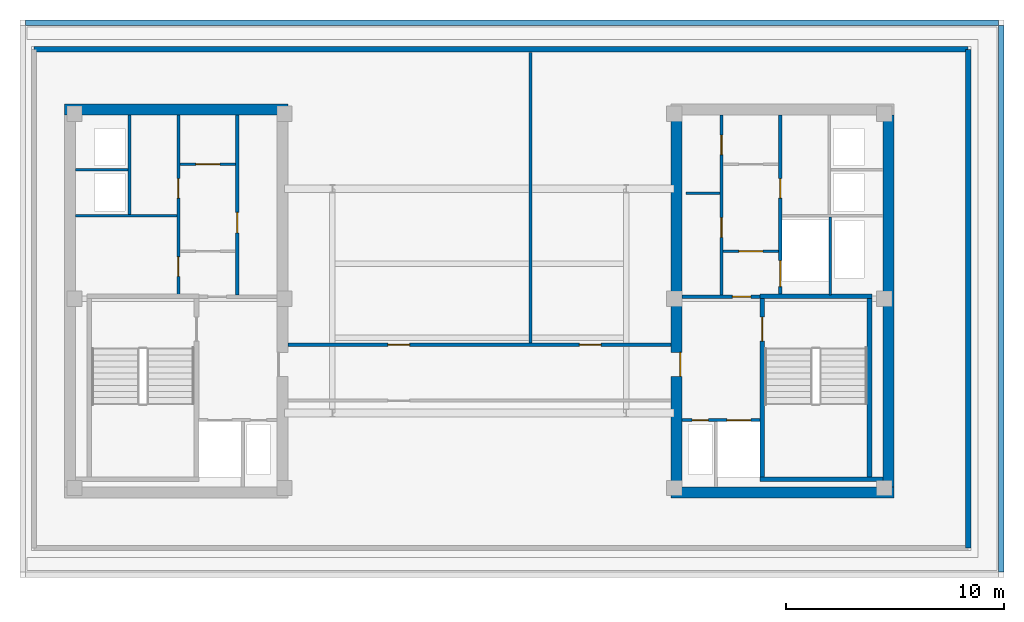
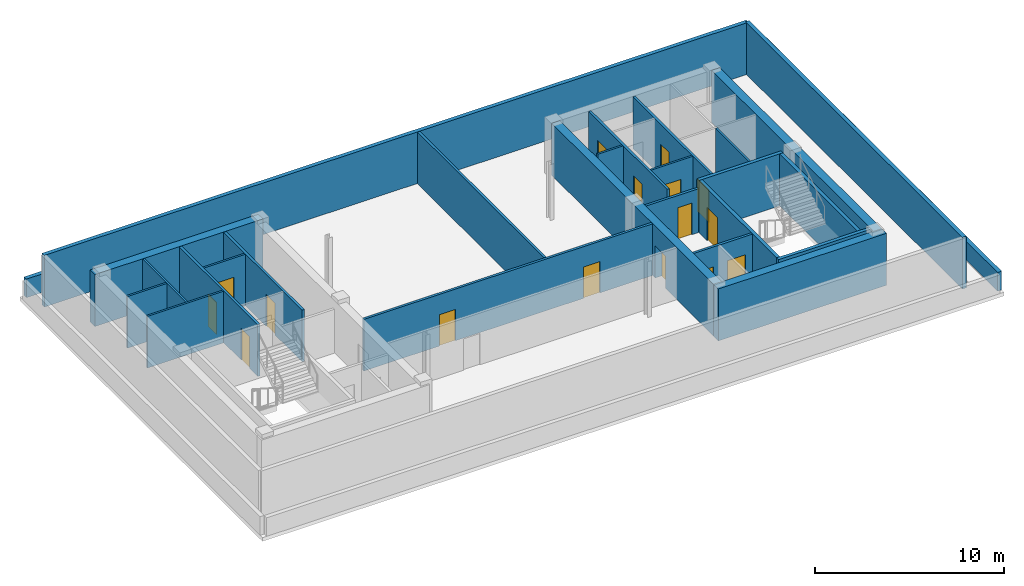
# One storey, part 3 of 7: 27 walls, 16 doors, 16 openings.
"""IFC4 building model written with IfcOpenShell, lengths in metres."""

from ifc_helpers import new_model, si_unit, direction, frame, frame_2d, origin, place, context, subcontext, project, spatial, rectangle, extrude, material, layer, layer_set, type_object, element, fill, save


model = new_model("IFC4")

# Units and contexts
model_context = context("Model", 3, precision=1e-05, world=origin(), true_north=direction((0.0, 1.0)))
body_context = subcontext(model_context, "Body", "Model", "MODEL_VIEW")
ifc_project = project(units=[si_unit("LENGTHUNIT", "METRE"), si_unit("AREAUNIT", "SQUARE_METRE"), si_unit("VOLUMEUNIT", "CUBIC_METRE"), si_unit("PLANEANGLEUNIT", "RADIAN"), si_unit("MASSUNIT", "GRAM", prefix="KILO")], contexts=[model_context])

# Site, building, storey
site_placement = place(None, origin())
site = spatial("IfcSite", under=ifc_project, at=site_placement, CompositionType="ELEMENT")
building_placement = place(site_placement, origin())
building = spatial("IfcBuilding", under=site, at=building_placement, Name="Velakula Bourse", CompositionType="ELEMENT")
storey_placement = place(building_placement, frame((0.0, 0.0, 297.75)))
storey = spatial("IfcBuildingStorey", under=building, at=storey_placement, Name="L81", CompositionType="ELEMENT", Elevation=297.75)

# Wall, opening, door
ifc_material_1 = material(Name="Concrete M50 (fck 50 MPa)", Category="concrete")
ifc_layer_1 = layer(ifc_material_1, 0.2099609375, Name="Concrete M50 (fck 50 MPa)", Category="concrete")
ifc_layer_set_1 = layer_set([ifc_layer_1], Name="Concrete M50 (fck 50 MPa)")
wall_type_1 = type_object("IfcWallType", Name="WL-CORE-210", PredefinedType="SHEAR", material=ifc_layer_set_1)
wall_1_placement = place(storey_placement, frame((12.9951171875, -8.10009765625, 0.0), z_axis=(0.0, 0.0, 1.0), x_axis=(0.0, 1.0, 0.0)))
wall_1 = element("IfcWall", 1, at=wall_1_placement, inside=storey, type_object=wall_type_1, Name="L81 Core E Stairwell Shear Wall IN", PredefinedType="SHEAR", context=body_context, shape_type="SweptSolid", body=[
    extrude(rectangle(XDim=8.2001953125, YDim=0.2099609375, at=frame_2d((4.10009765625, 0.0))), origin(), (0.0, 0.0, 1.0), 3.35009765625),
])
opening_1_placement = place(wall_1_placement, frame((6.25, 0.0, 0.0)))
opening_1 = element("IfcOpeningElement", 2, at=opening_1_placement, cuts=wall_1, Name="Opening D-STE1", PredefinedType="OPENING", context=body_context, shape_type="SweptSolid", body=[
    extrude(rectangle(XDim=1.10009765625, YDim=2.14990234375, at=frame_2d((0.550048828125, 1.074951171875))), frame((0.0, 0.114990234375, 0.0), z_axis=(0.0, -1.0, 0.0), x_axis=(1.0, 0.0, 0.0)), (0.0, 0.0, 1.0), 0.22998046875),
])
ifc_material_2 = material(Name="Galvanised painted hollow steel fire door", Category="steel")
door_type_1 = type_object("IfcDoorType", Name="DR-FD120-1100x2150", OperationType="NOTDEFINED", PredefinedType="DOOR", material=ifc_material_2)
door_1_placement = place(opening_1_placement, origin())
door_1 = element("IfcDoor", 3, at=door_1_placement, inside=storey, type_object=door_type_1, Name="L81 Stair ST-E1 Fire Door", OperationType="SINGLE_SWING_RIGHT", OverallHeight=2.14990234375, OverallWidth=1.10009765625, PredefinedType="DOOR", context=body_context, shape_type="SweptSolid", body=[
    extrude(rectangle(XDim=1.10009765625, YDim=2.14990234375, at=frame_2d((0.550048828125, 1.074951171875))), frame((0.0, 0.02490234375, 0.0), z_axis=(0.0, -1.0, 0.0), x_axis=(1.0, 0.0, 0.0)), (0.0, 0.0, 1.0), 0.050048828125),
])
fill(opening_1, door_1)

# Walls
wall_2_placement = place(storey_placement, frame((17.925048828125, -8.10009765625, 0.0), z_axis=(0.0, 0.0, 1.0), x_axis=(0.0, 1.0, 0.0)))
element("IfcWall", 4, at=wall_2_placement, inside=storey, type_object=wall_type_1, Name="L81 Core E Stairwell Shear Wall OUT", PredefinedType="SHEAR", context=body_context, shape_type="SweptSolid", body=[
    extrude(rectangle(XDim=8.2001953125, YDim=0.2099609375, at=frame_2d((4.10009765625, 0.0))), origin(), (0.0, 0.0, 1.0), 3.35009765625),
])
wall_3_placement = place(storey_placement, frame((12.889892578125, -8.205078125, 0.0), z_axis=(0.0, 0.0, 1.0), x_axis=(1.0, 0.0, 0.0)))
element("IfcWall", 5, at=wall_3_placement, inside=storey, type_object=wall_type_1, Name="L81 Core E Stairwell Shear Wall S", PredefinedType="SHEAR", context=body_context, shape_type="SweptSolid", body=[
    extrude(rectangle(XDim=5.66015625, YDim=0.2099609375, at=frame_2d((2.830078125, 0.0))), origin(), (0.0, 0.0, 1.0), 3.35009765625),
])
wall_4_placement = place(storey_placement, frame((18.030029296875, 0.205078125, 0.0), z_axis=(0.0, 0.0, 1.0), x_axis=(-1.0, 0.0, 0.0)))
element("IfcWall", 6, at=wall_4_placement, inside=storey, type_object=wall_type_1, Name="L81 Core E Stairwell Shear Wall N", PredefinedType="SHEAR", context=body_context, shape_type="SweptSolid", body=[
    extrude(rectangle(XDim=5.14013671875, YDim=0.2099609375, at=frame_2d((2.570068359375, 0.0))), origin(), (0.0, 0.0, 1.0), 3.35009765625),
])
ifc_layer_2 = layer(ifc_material_1, 0.5, Name="Concrete M50 (fck 50 MPa)", Category="concrete")
ifc_layer_set_2 = layer_set([ifc_layer_2], Name="Concrete M50 (fck 50 MPa)")
wall_type_2 = type_object("IfcWallType", Name="WL-CORE-500", PredefinedType="SHEAR", material=ifc_layer_set_2)
for number, where, z_axis, x_axis, name in (
    (7, (-19.050048828125, 8.800048828125, 0.0), (0.0, 0.0, 1.0), (1.0, 0.0, 0.0), "L81 Core W Shear Wall N"),
    (8, (8.800048828125, -8.800048828125, 0.0), (0.0, 0.0, 1.0), (1.0, 0.0, 0.0), "L81 Core E Shear Wall S"),
):
    element("IfcWall", number, at=place(storey_placement, frame(where, z_axis=z_axis, x_axis=x_axis)), inside=storey, type_object=wall_type_2, Name=name, PredefinedType="SHEAR", context=body_context, shape_type="SweptSolid", body=[
        extrude(rectangle(XDim=10.25, YDim=0.5, at=frame_2d((5.125, 0.0))), origin(), (0.0, 0.0, 1.0), 3.35009765625),
    ])

# Wall, opening, door
wall_5_placement = place(storey_placement, frame((9.050048828125, -8.550048828125, 0.0), z_axis=(0.0, 0.0, 1.0), x_axis=(0.0, 1.0, 0.0)))
wall_5 = element("IfcWall", 9, at=wall_5_placement, inside=storey, type_object=wall_type_2, Name="L81 Core E Shear Wall W", PredefinedType="SHEAR", context=body_context, shape_type="SweptSolid", body=[
    extrude(rectangle(XDim=17.10009765625, YDim=0.5, at=frame_2d((8.550048828125, 0.0))), origin(), (0.0, 0.0, 1.0), 3.35009765625),
])
opening_2_placement = place(wall_5_placement, frame((5.080078125, 0.0, 0.0)))
opening_2 = element("IfcOpeningElement", 10, at=opening_2_placement, cuts=wall_5, Name="Opening D-FLE", PredefinedType="OPENING", context=body_context, shape_type="SweptSolid", body=[
    extrude(rectangle(XDim=1.10009765625, YDim=2.080078125, at=frame_2d((0.550048828125, 1.0400390625))), frame((0.0, 0.260009765625, 0.0), z_axis=(0.0, -1.0, 0.0), x_axis=(1.0, 0.0, 0.0)), (0.0, 0.0, 1.0), 0.52001953125),
])
door_type_2 = type_object("IfcDoorType", Name="DR-FD120-1100", OperationType="NOTDEFINED", PredefinedType="DOOR", material=ifc_material_2)
door_2_placement = place(opening_2_placement, origin())
door_2 = element("IfcDoor", 11, at=door_2_placement, inside=storey, type_object=door_type_2, Name="L81 Firefighting Lobby E Corridor Fire Door", OperationType="SINGLE_SWING_RIGHT", OverallHeight=2.080078125, OverallWidth=1.10009765625, PredefinedType="DOOR", context=body_context, shape_type="SweptSolid", body=[
    extrude(rectangle(XDim=1.10009765625, YDim=2.080078125, at=frame_2d((0.550048828125, 1.0400390625))), frame((0.0, -0.15478515625, 0.0), z_axis=(0.0, -1.0, 0.0), x_axis=(1.0, 0.0, 0.0)), (0.0, 0.0, 1.0), 0.050048828125),
])
fill(opening_2, door_2)

# Walls
wall_6_placement = place(storey_placement, frame((18.800048828125, -8.550048828125, 0.0), z_axis=(0.0, 0.0, 1.0), x_axis=(0.0, 1.0, 0.0)))
element("IfcWall", 12, at=wall_6_placement, inside=storey, type_object=wall_type_2, Name="L81 Core E Shear Wall E", PredefinedType="SHEAR", context=body_context, shape_type="SweptSolid", body=[
    extrude(rectangle(XDim=17.10009765625, YDim=0.5, at=frame_2d((8.550048828125, 0.0))), origin(), (0.0, 0.0, 1.0), 3.35009765625),
])
ifc_material_3 = material(Name="Buff kilned clay facing brick masonry", Category="masonry")
ifc_layer_3 = layer(ifc_material_3, 0.239990234375, Name="Buff kilned clay facing brick masonry", Category="masonry")
ifc_layer_set_3 = layer_set([ifc_layer_3], Name="Buff kilned clay facing brick masonry")
wall_type_3 = type_object("IfcWallType", Name="WL-EXT-CRN-240", PredefinedType="STANDARD", material=ifc_layer_set_3)
wall_7_placement = place(storey_placement, frame((22.4599609375, -11.360107421875, 0.0), z_axis=(0.0, 0.0, 1.0), x_axis=(0.0, 1.0, 0.0)))
element("IfcWall", 13, at=wall_7_placement, inside=storey, type_object=wall_type_3, Name="L81 Crown Brick Acoustic Wall E", PredefinedType="STANDARD", context=body_context, shape_type="SweptSolid", body=[
    extrude(rectangle(XDim=22.920166015625, YDim=0.239990234375, at=frame_2d((11.4599609375, 0.0))), origin(), (0.0, 0.0, 1.0), 3.330078125),
])
wall_8_placement = place(storey_placement, frame((22.4599609375, 11.56005859375, 0.0), z_axis=(0.0, 0.0, 1.0), x_axis=(-1.0, 0.0, 0.0)))
element("IfcWall", 14, at=wall_8_placement, inside=storey, type_object=wall_type_3, Name="L81 Crown Brick Acoustic Wall N", PredefinedType="STANDARD", context=body_context, shape_type="SweptSolid", body=[
    extrude(rectangle(XDim=42.919921875, YDim=0.239990234375, at=frame_2d((21.4599609375, 0.0))), origin(), (0.0, 0.0, 1.0), 3.330078125),
])
ifc_layer_4 = layer(ifc_material_3, 0.25, Name="Buff kilned clay facing brick masonry", Category="masonry")
ifc_layer_set_4 = layer_set([ifc_layer_4], Name="Buff kilned clay facing brick masonry")
wall_type_4 = type_object("IfcWallType", Name="WL-PAR-ROOF-250", PredefinedType="PARAPET", material=ifc_layer_set_4)
wall_9_placement = place(storey_placement, frame((-20.85009765625, 12.780029296875, 0.0), z_axis=(0.0, 0.0, 1.0), x_axis=(1.0, 0.0, 0.0)))
element("IfcWall", 15, at=wall_9_placement, inside=storey, type_object=wall_type_4, Name="L81 Closed Roof Perimeter Parapet 1", PredefinedType="PARAPET", context=body_context, shape_type="SweptSolid", body=[
    extrude(rectangle(XDim=44.7001953125, YDim=0.25, at=frame_2d((22.35009765625, 0.0))), origin(), (0.0, 0.0, 1.0), 1.199951171875),
])
wall_10_placement = place(storey_placement, frame((23.97998046875, 12.64990234375, 0.0), z_axis=(0.0, 0.0, 1.0), x_axis=(0.0, -1.0, 0.0)))
element("IfcWall", 16, at=wall_10_placement, inside=storey, type_object=wall_type_4, Name="L81 Closed Roof Perimeter Parapet 2", PredefinedType="PARAPET", context=body_context, shape_type="SweptSolid", body=[
    extrude(rectangle(XDim=25.099853515625, YDim=0.25, at=frame_2d((12.5498046875, 0.0))), origin(), (0.0, 0.0, 1.0), 1.199951171875),
])

# Wall, opening, door
ifc_material_4 = material(Name="Fire-rated double-layer gypsum drywall partition", Category="gypsum")
ifc_layer_5 = layer(ifc_material_4, 0.1201171875, Name="Fire-rated double-layer gypsum drywall partition", Category="gypsum")
ifc_layer_set_5 = layer_set([ifc_layer_5], Name="Fire-rated double-layer gypsum drywall partition")
wall_type_5 = type_object("IfcWallType", Name="WL-PART-120", PredefinedType="STANDARD", material=ifc_layer_set_5)
wall_11_placement = place(storey_placement, frame((-13.75, 6.280029296875, 0.0), z_axis=(0.0, 0.0, 1.0), x_axis=(1.0, 0.0, 0.0)))
wall_11 = element("IfcWall", 17, at=wall_11_placement, inside=storey, type_object=wall_type_5, Name="L81 Interior Partition WL-CRW-L81-LL-K3B", PredefinedType="STANDARD", context=body_context, shape_type="SweptSolid", body=[
    extrude(rectangle(XDim=2.550048828125, YDim=0.1201171875, at=frame_2d((1.27490234375, 0.0))), origin(), (0.0, 0.0, 1.0), 3.330078125),
])
opening_3_placement = place(wall_11_placement, frame((0.72509765625, 0.0, 0.0)))
opening_3 = element("IfcOpeningElement", 18, at=opening_3_placement, cuts=wall_11, Name="Opening D-LK3", PredefinedType="OPENING", context=body_context, shape_type="SweptSolid", body=[
    extrude(rectangle(XDim=1.10009765625, YDim=2.10009765625, at=frame_2d((0.550048828125, 1.050048828125))), frame((0.0, 0.070068359375, 0.0), z_axis=(0.0, -1.0, 0.0), x_axis=(1.0, 0.0, 0.0)), (0.0, 0.0, 1.0), 0.14013671875),
])
ifc_material_5 = material(Name="Fire-rated hardwood flush architectural door", Category="wood")
door_type_3 = type_object("IfcDoorType", Name="DR-FD60-1100x2100", OperationType="NOTDEFINED", PredefinedType="DOOR", material=ifc_material_5)
door_3_placement = place(opening_3_placement, origin())
door_3 = element("IfcDoor", 19, at=door_3_placement, inside=storey, type_object=door_type_3, Name="L81 Core W Lift Lobby Vestibule Door B", OperationType="SINGLE_SWING_RIGHT", OverallHeight=2.10009765625, OverallWidth=1.10009765625, PredefinedType="DOOR", context=body_context, shape_type="SweptSolid", body=[
    extrude(rectangle(XDim=1.10009765625, YDim=2.10009765625, at=frame_2d((0.550048828125, 1.050048828125))), frame((0.0, 0.02490234375, 0.0), z_axis=(0.0, -1.0, 0.0), x_axis=(1.0, 0.0, 0.0)), (0.0, 0.0, 1.0), 0.050048828125),
])
fill(opening_3, door_3)

# Walls
wall_12_placement = place(storey_placement, frame((-18.550048828125, 3.919921875, 0.0), z_axis=(0.0, 0.0, 1.0), x_axis=(1.0, 0.0, 0.0)))
element("IfcWall", 20, at=wall_12_placement, inside=storey, type_object=wall_type_5, Name="L81 Interior Partition WL-CRW-L81-HI-S", PredefinedType="STANDARD", context=body_context, shape_type="SweptSolid", body=[
    extrude(rectangle(XDim=4.650146484375, YDim=0.1201171875, at=frame_2d((2.3251953125, 0.0))), origin(), (0.0, 0.0, 1.0), 3.330078125),
])
wall_13_placement = place(storey_placement, frame((-18.550048828125, 6.030029296875, 0.0), z_axis=(0.0, 0.0, 1.0), x_axis=(1.0, 0.0, 0.0)))
element("IfcWall", 21, at=wall_13_placement, inside=storey, type_object=wall_type_5, Name="L81 Interior Partition WL-CRW-L81-RIS-MID", PredefinedType="STANDARD", context=body_context, shape_type="SweptSolid", body=[
    extrude(rectangle(XDim=2.400146484375, YDim=0.1201171875, at=frame_2d((1.2001953125, 0.0))), origin(), (0.0, 0.0, 1.0), 3.330078125),
])
wall_14_placement = place(storey_placement, frame((-16.074951171875, 3.97998046875, 0.0), z_axis=(0.0, 0.0, 1.0), x_axis=(0.0, 1.0, 0.0)))
element("IfcWall", 22, at=wall_14_placement, inside=storey, type_object=wall_type_5, Name="L81 Interior Partition WL-CRW-L81-RIS-F", PredefinedType="STANDARD", context=body_context, shape_type="SweptSolid", body=[
    extrude(rectangle(XDim=4.570068359375, YDim=0.1201171875, at=frame_2d((2.28515625, 0.0))), origin(), (0.0, 0.0, 1.0), 3.330078125),
])

# Wall, opening, door
wall_15_placement = place(storey_placement, frame((11.199951171875, 2.280029296875, 0.0), z_axis=(0.0, 0.0, 1.0), x_axis=(1.0, 0.0, 0.0)))
wall_15 = element("IfcWall", 23, at=wall_15_placement, inside=storey, type_object=wall_type_5, Name="L81 Interior Partition WL-CRE-L81-LL-K3A", PredefinedType="STANDARD", context=body_context, shape_type="SweptSolid", body=[
    extrude(rectangle(XDim=2.550048828125, YDim=0.1201171875, at=frame_2d((1.27490234375, 0.0))), origin(), (0.0, 0.0, 1.0), 3.330078125),
])
opening_4_placement = place(wall_15_placement, frame((0.72509765625, 0.0, 0.0)))
opening_4 = element("IfcOpeningElement", 24, at=opening_4_placement, cuts=wall_15, Name="Opening D-LK3", PredefinedType="OPENING", context=body_context, shape_type="SweptSolid", body=[
    extrude(rectangle(XDim=1.10009765625, YDim=2.10009765625, at=frame_2d((0.550048828125, 1.050048828125))), frame((0.0, 0.070068359375, 0.0), z_axis=(0.0, -1.0, 0.0), x_axis=(1.0, 0.0, 0.0)), (0.0, 0.0, 1.0), 0.14013671875),
])
door_4_placement = place(opening_4_placement, origin())
door_4 = element("IfcDoor", 25, at=door_4_placement, inside=storey, type_object=door_type_3, Name="L81 Core E Lift Lobby Vestibule Door A", OperationType="SINGLE_SWING_RIGHT", OverallHeight=2.10009765625, OverallWidth=1.10009765625, PredefinedType="DOOR", context=body_context, shape_type="SweptSolid", body=[
    extrude(rectangle(XDim=1.10009765625, YDim=2.10009765625, at=frame_2d((0.550048828125, 1.050048828125))), frame((0.0, 0.02490234375, 0.0), z_axis=(0.0, -1.0, 0.0), x_axis=(1.0, 0.0, 0.0)), (0.0, 0.0, 1.0), 0.050048828125),
])
fill(opening_4, door_4)

# Walls
wall_16_placement = place(storey_placement, frame((9.5, 4.949951171875, 0.0), z_axis=(0.0, 0.0, 1.0), x_axis=(1.0, 0.0, 0.0)))
element("IfcWall", 26, at=wall_16_placement, inside=storey, type_object=wall_type_5, Name="L81 Interior Partition WL-CRE-L81-RCDIV", PredefinedType="STANDARD", context=body_context, shape_type="SweptSolid", body=[
    extrude(rectangle(XDim=1.550048828125, YDim=0.1201171875, at=frame_2d((0.77490234375, 0.0))), origin(), (0.0, 0.0, 1.0), 3.330078125),
])
wall_17_placement = place(storey_placement, frame((16.125, 0.27001953125, 0.0), z_axis=(0.0, 0.0, 1.0), x_axis=(0.0, 1.0, 0.0)))
element("IfcWall", 27, at=wall_17_placement, inside=storey, type_object=wall_type_5, Name="L81 Interior Partition WL-CRE-L81-SVL-E", PredefinedType="STANDARD", context=body_context, shape_type="SweptSolid", body=[
    extrude(rectangle(XDim=3.590087890625, YDim=0.1201171875, at=frame_2d((1.794921875, 0.0))), origin(), (0.0, 0.0, 1.0), 3.330078125),
])

# Wall, opening, door
ifc_material_6 = material(Name="Autoclaved aerated concrete blockwork masonry", Category="masonry")
ifc_layer_6 = layer(ifc_material_6, 0.14990234375, Name="Autoclaved aerated concrete blockwork masonry", Category="masonry")
ifc_layer_set_6 = layer_set([ifc_layer_6], Name="Autoclaved aerated concrete blockwork masonry")
wall_type_6 = type_object("IfcWallType", Name="WL-SHAFT-150", PredefinedType="STANDARD", material=ifc_layer_set_6)
wall_18_placement = place(storey_placement, frame((-11.125, 0.27001953125, 0.0), z_axis=(0.0, 0.0, 1.0), x_axis=(0.0, 1.0, 0.0)))
wall_18 = element("IfcWall", 28, at=wall_18_placement, inside=storey, type_object=wall_type_6, Name="L81 Interior Partition WL-CRW-L81-BANK-F", PredefinedType="STANDARD", context=body_context, shape_type="SweptSolid", body=[
    extrude(rectangle(XDim=8.280029296875, YDim=0.14990234375, at=frame_2d((4.14013671875, 0.0))), origin(), (0.0, 0.0, 1.0), 3.330078125),
])
opening_5_placement = place(wall_18_placement, frame((2.85009765625, 0.0, 0.0)))
opening_5 = element("IfcOpeningElement", 29, at=opening_5_placement, cuts=wall_18, Name="Opening D-RC4", PredefinedType="OPENING", context=body_context, shape_type="SweptSolid", body=[
    extrude(rectangle(XDim=0.949951171875, YDim=2.050048828125, at=frame_2d((0.47509765625, 1.02490234375))), frame((0.0, 0.0849609375, 0.0), z_axis=(0.0, -1.0, 0.0), x_axis=(1.0, 0.0, 0.0)), (0.0, 0.0, 1.0), 0.169921875),
])
door_type_4 = type_object("IfcDoorType", Name="DR-FD60-950x2050", OperationType="NOTDEFINED", PredefinedType="DOOR", material=ifc_material_5)
door_5_placement = place(opening_5_placement, origin())
door_5 = element("IfcDoor", 30, at=door_5_placement, inside=storey, type_object=door_type_4, Name="L81 Reclaimed Multi-Bay Archive Room Door", OperationType="SINGLE_SWING_RIGHT", OverallHeight=2.050048828125, OverallWidth=0.949951171875, PredefinedType="DOOR", context=body_context, shape_type="SweptSolid", body=[
    extrude(rectangle(XDim=0.949951171875, YDim=2.050048828125, at=frame_2d((0.47509765625, 1.02490234375))), frame((0.0, 0.02490234375, 0.0), z_axis=(0.0, -1.0, 0.0), x_axis=(1.0, 0.0, 0.0)), (0.0, 0.0, 1.0), 0.050048828125),
])
fill(opening_5, door_5)

# Wall, openings, doors
wall_19_placement = place(storey_placement, frame((-13.824951171875, 0.27001953125, 0.0), z_axis=(0.0, 0.0, 1.0), x_axis=(0.0, 1.0, 0.0)))
wall_19 = element("IfcWall", 31, at=wall_19_placement, inside=storey, type_object=wall_type_6, Name="L81 Interior Partition WL-CRW-L81-OUT-F", PredefinedType="STANDARD", context=body_context, shape_type="SweptSolid", body=[
    extrude(rectangle(XDim=8.280029296875, YDim=0.14990234375, at=frame_2d((4.14013671875, 0.0))), origin(), (0.0, 0.0, 1.0), 3.330078125),
])
opening_6_placement = place(wall_19_placement, frame((4.449951171875, 0.0, 0.0)))
opening_6 = element("IfcOpeningElement", 32, at=opening_6_placement, cuts=wall_19, Name="Opening D-RC3", PredefinedType="OPENING", context=body_context, shape_type="SweptSolid", body=[
    extrude(rectangle(XDim=0.89990234375, YDim=2.050048828125, at=frame_2d((0.449951171875, 1.02490234375))), frame((0.0, 0.0849609375, 0.0), z_axis=(0.0, -1.0, 0.0), x_axis=(1.0, 0.0, 0.0)), (0.0, 0.0, 1.0), 0.169921875),
])
opening_7_placement = place(wall_19_placement, frame((0.85009765625, 0.0, 0.0)))
opening_7 = element("IfcOpeningElement", 33, at=opening_7_placement, cuts=wall_19, Name="Opening D-CR3", PredefinedType="OPENING", context=body_context, shape_type="SweptSolid", body=[
    extrude(rectangle(XDim=0.89990234375, YDim=2.050048828125, at=frame_2d((0.449951171875, 1.02490234375))), frame((0.0, 0.0849609375, 0.0), z_axis=(0.0, -1.0, 0.0), x_axis=(1.0, 0.0, 0.0)), (0.0, 0.0, 1.0), 0.169921875),
])
door_type_5 = type_object("IfcDoorType", Name="DR-FD60-900", OperationType="NOTDEFINED", PredefinedType="DOOR", material=ifc_material_5)
door_6_placement = place(opening_6_placement, origin())
door_6 = element("IfcDoor", 34, at=door_6_placement, inside=storey, type_object=door_type_5, Name="L81 Crown Lift Machine Plant Room Door", OperationType="SINGLE_SWING_LEFT", OverallHeight=2.050048828125, OverallWidth=0.89990234375, PredefinedType="DOOR", context=body_context, shape_type="SweptSolid", body=[
    extrude(rectangle(XDim=0.89990234375, YDim=2.050048828125, at=frame_2d((0.449951171875, 1.02490234375))), frame((0.0, 0.02490234375, 0.0), z_axis=(0.0, -1.0, 0.0), x_axis=(1.0, 0.0, 0.0)), (0.0, 0.0, 1.0), 0.050048828125),
])
fill(opening_6, door_6)
door_type_6 = type_object("IfcDoorType", Name="DR-INT-900", OperationType="NOTDEFINED", PredefinedType="DOOR", material=ifc_material_5)
door_7_placement = place(opening_7_placement, origin())
door_7 = element("IfcDoor", 35, at=door_7_placement, inside=storey, type_object=door_type_6, Name="L81 Core Stationery and Mail Room Door", OperationType="SINGLE_SWING_RIGHT", OverallHeight=2.050048828125, OverallWidth=0.89990234375, PredefinedType="DOOR", context=body_context, shape_type="SweptSolid", body=[
    extrude(rectangle(XDim=0.89990234375, YDim=2.050048828125, at=frame_2d((0.449951171875, 1.02490234375))), frame((0.0, 0.02490234375, 0.0), z_axis=(0.0, -1.0, 0.0), x_axis=(1.0, 0.0, 0.0)), (0.0, 0.0, 1.0), 0.050048828125),
])
fill(opening_7, door_7)

wall_20_placement = place(storey_placement, frame((9.300048828125, -5.47509765625, 0.0), z_axis=(0.0, 0.0, 1.0), x_axis=(1.0, 0.0, 0.0)))
wall_20 = element("IfcWall", 36, at=wall_20_placement, inside=storey, type_object=wall_type_6, Name="L81 Interior Partition WL-CRE-L81-FFL-N", PredefinedType="STANDARD", context=body_context, shape_type="SweptSolid", body=[
    extrude(rectangle(XDim=3.594970703125, YDim=0.14990234375, at=frame_2d((1.79736328125, 0.0))), origin(), (0.0, 0.0, 1.0), 3.330078125),
])
opening_8_placement = place(wall_20_placement, frame((2.074951171875, 0.0, 0.0)))
opening_8 = element("IfcOpeningElement", 37, at=opening_8_placement, cuts=wall_20, Name="Opening LD-FFL-2", PredefinedType="OPENING", context=body_context, shape_type="SweptSolid", body=[
    extrude(rectangle(XDim=1.10009765625, YDim=2.14990234375, at=frame_2d((0.550048828125, 1.074951171875))), frame((0.0, 0.0849609375, 0.0), z_axis=(0.0, -1.0, 0.0), x_axis=(1.0, 0.0, 0.0)), (0.0, 0.0, 1.0), 0.169921875),
])
opening_9_placement = place(wall_20_placement, frame((0.47509765625, 0.0, 0.0)))
opening_9 = element("IfcOpeningElement", 38, at=opening_9_placement, cuts=wall_20, Name="Opening D-RS1", PredefinedType="OPENING", context=body_context, shape_type="SweptSolid", body=[
    extrude(rectangle(XDim=0.75, YDim=2.050048828125, at=frame_2d((0.375, 1.02490234375))), frame((0.0, 0.0849609375, 0.0), z_axis=(0.0, -1.0, 0.0), x_axis=(1.0, 0.0, 0.0)), (0.0, 0.0, 1.0), 0.169921875),
])
door_type_7 = type_object("IfcDoorType", Name="DR-RISER-800", OperationType="NOTDEFINED", PredefinedType="DOOR", material=ifc_material_2)
door_8_placement = place(opening_9_placement, origin())
door_8 = element("IfcDoor", 39, at=door_8_placement, inside=storey, type_object=door_type_7, Name="L81 Fire Riser Access Door", OperationType="SINGLE_SWING_LEFT", OverallHeight=2.050048828125, OverallWidth=0.75, PredefinedType="DOOR", context=body_context, shape_type="SweptSolid", body=[
    extrude(rectangle(XDim=0.75, YDim=2.050048828125, at=frame_2d((0.375, 1.02490234375))), frame((0.0, 0.02490234375, 0.0), z_axis=(0.0, -1.0, 0.0), x_axis=(1.0, 0.0, 0.0)), (0.0, 0.0, 1.0), 0.050048828125),
])
fill(opening_9, door_8)
ifc_material_7 = material(Name="Brushed grade 316 stainless steel", Category="steel")
door_type_8 = type_object("IfcDoorType", Name="DR-SLIDE-FFL-1100", OperationType="DOUBLE_DOOR_SLIDING", PredefinedType="DOOR", material=ifc_material_7)
door_9_placement = place(opening_8_placement, origin())
door_9 = element("IfcDoor", 40, at=door_9_placement, inside=storey, type_object=door_type_8, Name="L81 Firefighting Lift FFL-2 Sliding Landing Door", OperationType="DOUBLE_DOOR_SLIDING", OverallHeight=2.14990234375, OverallWidth=1.10009765625, PredefinedType="DOOR", context=body_context, shape_type="SweptSolid", body=[
    extrude(rectangle(XDim=1.10009765625, YDim=2.14990234375, at=frame_2d((0.550048828125, 1.074951171875))), frame((0.0, 0.02490234375, 0.0), z_axis=(0.0, -1.0, 0.0), x_axis=(1.0, 0.0, 0.0)), (0.0, 0.0, 1.0), 0.050048828125),
])
fill(opening_8, door_9)

# Wall, opening, door
wall_21_placement = place(storey_placement, frame((9.300048828125, 0.18994140625, 0.0), z_axis=(0.0, 0.0, 1.0), x_axis=(1.0, 0.0, 0.0)))
wall_21 = element("IfcWall", 41, at=wall_21_placement, inside=storey, type_object=wall_type_6, Name="L81 Interior Partition WL-CRE-L81-FF-TOP", PredefinedType="STANDARD", context=body_context, shape_type="SweptSolid", body=[
    extrude(rectangle(XDim=3.58984375, YDim=0.14990234375, at=frame_2d((1.794921875, 0.0))), origin(), (0.0, 0.0, 1.0), 2.824951171875),
])
opening_10_placement = place(wall_21_placement, frame((2.324951171875, 0.0, 0.0)))
opening_10 = element("IfcOpeningElement", 42, at=opening_10_placement, cuts=wall_21, Name="Opening D-FC1", PredefinedType="OPENING", context=body_context, shape_type="SweptSolid", body=[
    extrude(rectangle(XDim=0.85009765625, YDim=2.0400390625, at=frame_2d((0.425048828125, 1.02001953125))), frame((0.0, 0.0849609375, 0.0), z_axis=(0.0, -1.0, 0.0), x_axis=(1.0, 0.0, 0.0)), (0.0, 0.0, 1.0), 0.169921875),
])
door_type_9 = type_object("IfcDoorType", Name="DR-FD120-850", OperationType="NOTDEFINED", PredefinedType="DOOR", material=ifc_material_2)
door_10_placement = place(opening_10_placement, origin())
door_10 = element("IfcDoor", 43, at=door_10_placement, inside=storey, type_object=door_type_9, Name="L81 Firefighting Lobby Link Fire Door", OperationType="SINGLE_SWING_LEFT", OverallHeight=2.0400390625, OverallWidth=0.85009765625, PredefinedType="DOOR", context=body_context, shape_type="SweptSolid", body=[
    extrude(rectangle(XDim=0.85009765625, YDim=2.0400390625, at=frame_2d((0.425048828125, 1.02001953125))), frame((0.0, 0.02490234375, 0.0), z_axis=(0.0, -1.0, 0.0), x_axis=(1.0, 0.0, 0.0)), (0.0, 0.0, 1.0), 0.050048828125),
])
fill(opening_10, door_10)

# Wall, openings, doors
wall_22_placement = place(storey_placement, frame((11.125, 0.27001953125, 0.0), z_axis=(0.0, 0.0, 1.0), x_axis=(0.0, 1.0, 0.0)))
wall_22 = element("IfcWall", 44, at=wall_22_placement, inside=storey, type_object=wall_type_6, Name="L81 Interior Partition WL-CRE-L81-BANK-F", PredefinedType="STANDARD", context=body_context, shape_type="SweptSolid", body=[
    extrude(rectangle(XDim=8.280029296875, YDim=0.14990234375, at=frame_2d((4.14013671875, 0.0))), origin(), (0.0, 0.0, 1.0), 3.330078125),
])
opening_11_placement = place(wall_22_placement, frame((2.64990234375, 0.0, 0.0)))
opening_11 = element("IfcOpeningElement", 45, at=opening_11_placement, cuts=wall_22, Name="Opening D-RC2", PredefinedType="OPENING", context=body_context, shape_type="SweptSolid", body=[
    extrude(rectangle(XDim=0.89990234375, YDim=2.050048828125, at=frame_2d((0.449951171875, 1.02490234375))), frame((0.0, 0.0849609375, 0.0), z_axis=(0.0, -1.0, 0.0), x_axis=(1.0, 0.0, 0.0)), (0.0, 0.0, 1.0), 0.169921875),
])
opening_12_placement = place(wall_22_placement, frame((6.449951171875, 0.0, 0.0)))
opening_12 = element("IfcOpeningElement", 46, at=opening_12_placement, cuts=wall_22, Name="Opening D-RC2", PredefinedType="OPENING", context=body_context, shape_type="SweptSolid", body=[
    extrude(rectangle(XDim=0.89990234375, YDim=2.050048828125, at=frame_2d((0.449951171875, 1.02490234375))), frame((0.0, 0.0849609375, 0.0), z_axis=(0.0, -1.0, 0.0), x_axis=(1.0, 0.0, 0.0)), (0.0, 0.0, 1.0), 0.169921875),
])
door_11_placement = place(opening_11_placement, origin())
door_11 = element("IfcDoor", 47, at=door_11_placement, inside=storey, type_object=door_type_5, Name="L81 Reclaimed Vault Room Door", OperationType="SINGLE_SWING_LEFT", OverallHeight=2.050048828125, OverallWidth=0.89990234375, PredefinedType="DOOR", context=body_context, shape_type="SweptSolid", body=[
    extrude(rectangle(XDim=0.89990234375, YDim=2.050048828125, at=frame_2d((0.449951171875, 1.02490234375))), frame((0.0, 0.02490234375, 0.0), z_axis=(0.0, -1.0, 0.0), x_axis=(1.0, 0.0, 0.0)), (0.0, 0.0, 1.0), 0.050048828125),
])
fill(opening_11, door_11)
door_12_placement = place(opening_12_placement, origin())
door_12 = element("IfcDoor", 48, at=door_12_placement, inside=storey, type_object=door_type_5, Name="L81 Reclaimed Depository Store Door", OperationType="SINGLE_SWING_RIGHT", OverallHeight=2.050048828125, OverallWidth=0.89990234375, PredefinedType="DOOR", context=body_context, shape_type="SweptSolid", body=[
    extrude(rectangle(XDim=0.89990234375, YDim=2.050048828125, at=frame_2d((0.449951171875, 1.02490234375))), frame((0.0, 0.02490234375, 0.0), z_axis=(0.0, -1.0, 0.0), x_axis=(1.0, 0.0, 0.0)), (0.0, 0.0, 1.0), 0.050048828125),
])
fill(opening_12, door_12)

wall_23_placement = place(storey_placement, frame((13.824951171875, 0.27001953125, 0.0), z_axis=(0.0, 0.0, 1.0), x_axis=(0.0, 1.0, 0.0)))
wall_23 = element("IfcWall", 49, at=wall_23_placement, inside=storey, type_object=wall_type_6, Name="L81 Interior Partition WL-CRE-L81-OUT-F", PredefinedType="STANDARD", context=body_context, shape_type="SweptSolid", body=[
    extrude(rectangle(XDim=8.280029296875, YDim=0.14990234375, at=frame_2d((4.14013671875, 0.0))), origin(), (0.0, 0.0, 1.0), 3.330078125),
])
opening_13_placement = place(wall_23_placement, frame((4.449951171875, 0.0, 0.0)))
opening_13 = element("IfcOpeningElement", 50, at=opening_13_placement, cuts=wall_23, Name="Opening D-RC3", PredefinedType="OPENING", context=body_context, shape_type="SweptSolid", body=[
    extrude(rectangle(XDim=0.89990234375, YDim=2.050048828125, at=frame_2d((0.449951171875, 1.02490234375))), frame((0.0, 0.0849609375, 0.0), z_axis=(0.0, -1.0, 0.0), x_axis=(1.0, 0.0, 0.0)), (0.0, 0.0, 1.0), 0.169921875),
])
opening_14_placement = place(wall_23_placement, frame((0.3798828125, 0.0, 0.0)))
opening_14 = element("IfcOpeningElement", 51, at=opening_14_placement, cuts=wall_23, Name="Opening LD-SVL1", PredefinedType="OPENING", context=body_context, shape_type="SweptSolid", body=[
    extrude(rectangle(XDim=1.199951171875, YDim=2.10009765625, at=frame_2d((0.60009765625, 1.050048828125))), frame((0.0, 0.0849609375, 0.0), z_axis=(0.0, -1.0, 0.0), x_axis=(1.0, 0.0, 0.0)), (0.0, 0.0, 1.0), 0.169921875),
])
door_13_placement = place(opening_13_placement, origin())
door_13 = element("IfcDoor", 52, at=door_13_placement, inside=storey, type_object=door_type_5, Name="L81 Crown Lift Machine Plant Room Door", OperationType="SINGLE_SWING_LEFT", OverallHeight=2.050048828125, OverallWidth=0.89990234375, PredefinedType="DOOR", context=body_context, shape_type="SweptSolid", body=[
    extrude(rectangle(XDim=0.89990234375, YDim=2.050048828125, at=frame_2d((0.449951171875, 1.02490234375))), frame((0.0, 0.02490234375, 0.0), z_axis=(0.0, -1.0, 0.0), x_axis=(1.0, 0.0, 0.0)), (0.0, 0.0, 1.0), 0.050048828125),
])
fill(opening_13, door_13)
door_type_10 = type_object("IfcDoorType", Name="DR-SLIDE-LD-1200", OperationType="DOUBLE_DOOR_SLIDING", PredefinedType="DOOR", material=ifc_material_7)
door_14_placement = place(opening_14_placement, origin())
door_14 = element("IfcDoor", 53, at=door_14_placement, inside=storey, type_object=door_type_10, Name="L81 Service Lift SVL-1 Sliding Landing Door", OperationType="DOUBLE_DOOR_SLIDING", OverallHeight=2.10009765625, OverallWidth=1.199951171875, PredefinedType="DOOR", context=body_context, shape_type="SweptSolid", body=[
    extrude(rectangle(XDim=1.199951171875, YDim=2.10009765625, at=frame_2d((0.60009765625, 1.050048828125))), frame((0.0, 0.02490234375, 0.0), z_axis=(0.0, -1.0, 0.0), x_axis=(1.0, 0.0, 0.0)), (0.0, 0.0, 1.0), 0.050048828125),
])
fill(opening_14, door_14)

wall_24_placement = place(storey_placement, frame((-8.800048828125, -2.02001953125, 0.0), z_axis=(0.0, 0.0, 1.0), x_axis=(1.0, 0.0, 0.0)))
wall_24 = element("IfcWall", 54, at=wall_24_placement, inside=storey, type_object=wall_type_6, Name="L81 Interior Partition WL-CRN-L81-N", PredefinedType="STANDARD", context=body_context, shape_type="SweptSolid", body=[
    extrude(rectangle(XDim=17.60009765625, YDim=0.14990234375, at=frame_2d((8.800048828125, 0.0))), origin(), (0.0, 0.0, 1.0), 3.330078125),
])
opening_15_placement = place(wall_24_placement, frame((4.60009765625, 0.0, 0.0)))
opening_15 = element("IfcOpeningElement", 55, at=opening_15_placement, cuts=wall_24, Name="Opening D-CP3", PredefinedType="OPENING", context=body_context, shape_type="SweptSolid", body=[
    extrude(rectangle(XDim=1.0, YDim=2.02001953125, at=frame_2d((0.5, 1.010009765625))), frame((0.0, 0.0849609375, 0.0), z_axis=(0.0, -1.0, 0.0), x_axis=(1.0, 0.0, 0.0)), (0.0, 0.0, 1.0), 0.169921875),
])
opening_16_placement = place(wall_24_placement, frame((13.39990234375, 0.0, 0.0)))
opening_16 = element("IfcOpeningElement", 56, at=opening_16_placement, cuts=wall_24, Name="Opening D-CP3", PredefinedType="OPENING", context=body_context, shape_type="SweptSolid", body=[
    extrude(rectangle(XDim=1.0, YDim=2.02001953125, at=frame_2d((0.5, 1.010009765625))), frame((0.0, 0.0849609375, 0.0), z_axis=(0.0, -1.0, 0.0), x_axis=(1.0, 0.0, 0.0)), (0.0, 0.0, 1.0), 0.169921875),
])
door_type_11 = type_object("IfcDoorType", Name="DR-FD120-1000x2020", OperationType="NOTDEFINED", PredefinedType="DOOR", material=ifc_material_2)
door_15_placement = place(opening_15_placement, origin())
door_15 = element("IfcDoor", 57, at=door_15_placement, inside=storey, type_object=door_type_11, Name="L81 Heat-Recovery AHU Mechanical Plant Room Door", OperationType="SINGLE_SWING_LEFT", OverallHeight=2.02001953125, OverallWidth=1.0, PredefinedType="DOOR", context=body_context, shape_type="SweptSolid", body=[
    extrude(rectangle(XDim=1.0, YDim=2.02001953125, at=frame_2d((0.5, 1.010009765625))), frame((0.0, 0.02490234375, 0.0), z_axis=(0.0, -1.0, 0.0), x_axis=(1.0, 0.0, 0.0)), (0.0, 0.0, 1.0), 0.050048828125),
])
fill(opening_15, door_15)
door_16_placement = place(opening_16_placement, origin())
door_16 = element("IfcDoor", 58, at=door_16_placement, inside=storey, type_object=door_type_11, Name="L81 Cooling Tower and Water Tank Room Door", OperationType="SINGLE_SWING_RIGHT", OverallHeight=2.02001953125, OverallWidth=1.0, PredefinedType="DOOR", context=body_context, shape_type="SweptSolid", body=[
    extrude(rectangle(XDim=1.0, YDim=2.02001953125, at=frame_2d((0.5, 1.010009765625))), frame((0.0, 0.02490234375, 0.0), z_axis=(0.0, -1.0, 0.0), x_axis=(1.0, 0.0, 0.0)), (0.0, 0.0, 1.0), 0.050048828125),
])
fill(opening_16, door_16)

# Wall
wall_25_placement = place(storey_placement, frame((2.35009765625, -1.93994140625, 0.0), z_axis=(0.0, 0.0, 1.0), x_axis=(0.0, 1.0, 0.0)))
element("IfcWall", 59, at=wall_25_placement, inside=storey, type_object=wall_type_6, Name="L81 Interior Partition WL-CRN-L81-DIV", PredefinedType="STANDARD", context=body_context, shape_type="SweptSolid", body=[
    extrude(rectangle(XDim=13.35986328125, YDim=0.14990234375, at=frame_2d((6.679931640625, 0.0))), origin(), (0.0, 0.0, 1.0), 3.330078125),
])

save(model, "model.ifc")
